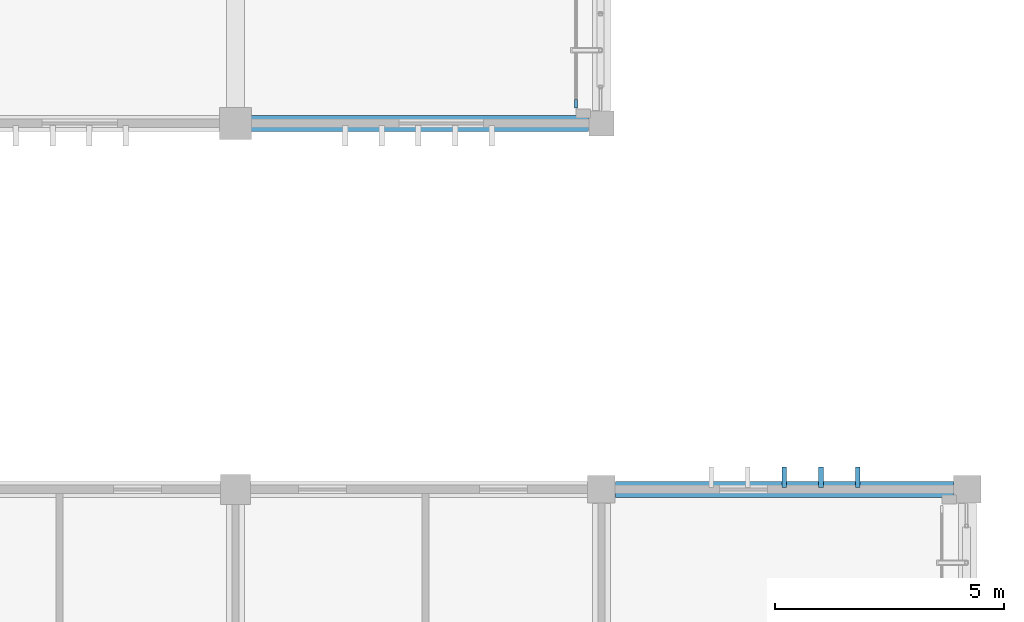
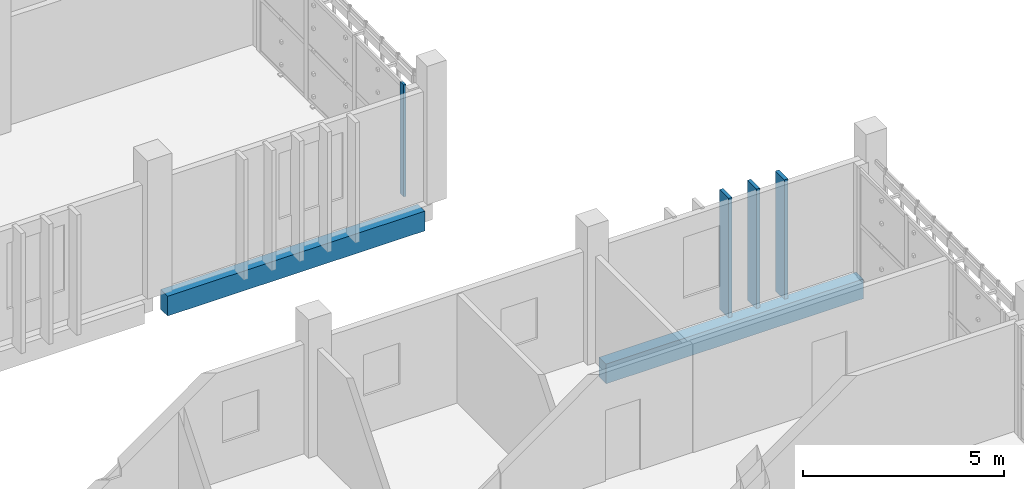
# One storey, part 52 of 83: 4 members, 2 beams, 1 element without a shape of its own.
"""IFC4 building model written with IfcOpenShell, lengths in metres."""

from ifc_helpers import new_model, si_unit, direction, frame, origin, origin_2d, place, context, subcontext, project, spatial, rectangle, extrude, material, layer, layer_set, material_profile, profile_set, type_object, element, aggregate, save


model = new_model("IFC4")

# Units and contexts
model_context = context("Model", 3, precision=1e-05, world=origin(), true_north=direction((0.0, 1.0)))
body_context = subcontext(model_context, "Body", "Model", "MODEL_VIEW")
ifc_project = project(units=[si_unit("LENGTHUNIT", "METRE"), si_unit("AREAUNIT", "SQUARE_METRE"), si_unit("VOLUMEUNIT", "CUBIC_METRE"), si_unit("PLANEANGLEUNIT", "RADIAN"), si_unit("MASSUNIT", "GRAM", prefix="KILO")], contexts=[model_context])

# Site, building, storey
site_placement = place(None, origin())
site = spatial("IfcSite", under=ifc_project, at=site_placement, CompositionType="ELEMENT")
building_placement = place(site_placement, origin())
building = spatial("IfcBuilding", under=site, at=building_placement, Name="Jelvoka-Kovrelna Polytechnic", CompositionType="ELEMENT")
storey_placement = place(building_placement, frame((0.0, 0.0, 13.800048828125)))
storey = spatial("IfcBuildingStorey", under=building, at=storey_placement, Name="L04", CompositionType="ELEMENT", Elevation=13.800048828125)

# Members
ifc_material_1 = material(Name="Precast concrete C40/50", Category="concrete")
ifc_material_profile_1 = material_profile(ifc_material_1, rectangle(XDim=0.10009765625, YDim=0.449951171875, at=origin_2d()), Name="PC 100x450")
ifc_profile_set_1 = profile_set([ifc_material_profile_1], Name="Precast concrete C40/50")
member_type_1 = type_object("IfcMemberType", Name="Louvre_Fin_100x450", PredefinedType="USERDEFINED", material=ifc_profile_set_1)
for number, where, z_axis, x_axis, name in (
    (1, (196.0, 48.264892578125, -0.27001953125), (0.0, 0.0, 1.0), (1.0, 0.0, 0.0), "L04 B2E north vertical solar louvre fin 1003"),
    (2, (196.800048828125, 48.264892578125, -0.27001953125), (0.0, 0.0, 1.0), (1.0, 0.0, 0.0), "L04 B2E north vertical solar louvre fin 1004"),
    (3, (197.60009765625, 48.264892578125, -0.27001953125), (0.0, 0.0, 1.0), (1.0, 0.0, 0.0), "L04 B2E north vertical solar louvre fin 1005"),
):
    element("IfcMember", number, at=place(storey_placement, frame(where, z_axis=z_axis, x_axis=x_axis)), inside=storey, type_object=member_type_1, Name=name, ObjectType="SUNSHADE", PredefinedType="USERDEFINED", context=body_context, shape_type="SweptSolid", body=[
        extrude(rectangle(XDim=0.10009765625, YDim=0.449951171875, at=origin_2d()), origin(), (0.0, 0.0, 1.0), 3.64501953125),
    ])

# Curtain wall, member
ifc_material_2 = material(Name="Anodised aluminium 6063-T6", Category="aluminium")
ifc_layer = layer(ifc_material_2, 0.179931640625)
ifc_layer_set = layer_set([ifc_layer], Name="Anodised aluminium 6063-T6")
curtain_wall_type = type_object("IfcCurtainWallType", Name="CW_Recessed_B", PredefinedType="NOTDEFINED", material=ifc_layer_set)
curtain_wall_placement = place(storey_placement, origin())
curtain_wall = element("IfcCurtainWall", 4, at=curtain_wall_placement, inside=storey, type_object=curtain_wall_type, Name="L04 glazed curtain wall 087", PredefinedType="NOTDEFINED")
ifc_material_3 = material(Name="Anodised aluminium 6063-T6", Category="aluminium")
ifc_material_profile_2 = material_profile(ifc_material_3, rectangle(XDim=0.06494140625, YDim=0.179931640625, at=origin_2d()), Name="ALU 65x180")
ifc_profile_set_2 = profile_set([ifc_material_profile_2], Name="Anodised aluminium 6063-T6")
member_type_2 = type_object("IfcMemberType", Name="Mullion_M-02", PredefinedType="MULLION", material=ifc_profile_set_2)
member_placement = place(storey_placement, frame((191.43994140625, 56.4326171875, -0.02490234375), z_axis=(0.0, 0.0, 1.0), x_axis=(1.0, 0.0, 0.0)))
member = element("IfcMember", 5, at=member_placement, type_object=member_type_2, Name="CW-02 mullion 4", PredefinedType="MULLION", context=body_context, shape_type="SweptSolid", body=[
    extrude(rectangle(XDim=0.06494140625, YDim=0.179931640625, at=origin_2d()), origin(), (0.0, 0.0, 1.0), 3.39990234375),
])
aggregate(curtain_wall, [member])

# Beams
ifc_material_4 = material(Name="Concrete C40/50", Category="concrete")
ifc_material_profile_3 = material_profile(ifc_material_4, rectangle(XDim=0.35009765625, YDim=0.60009765625, at=origin_2d()), Name="RC 350x600")
ifc_profile_set_3 = profile_set([ifc_material_profile_3], Name="Concrete C40/50")
beam_type = type_object("IfcBeamType", Name="Spandrel_RC_350x600", PredefinedType="SPANDREL", material=ifc_profile_set_3)
beam_1_placement = place(storey_placement, frame((192.304931640625, 48.0, -0.550048828125), z_axis=(1.0, 0.0, 0.0), x_axis=(0.0, 1.0, 0.0)))
element("IfcBeam", 6, at=beam_1_placement, inside=storey, type_object=beam_type, Name="L04 beam 1237", PredefinedType="SPANDREL", context=body_context, shape_type="SweptSolid", body=[
    extrude(rectangle(XDim=0.35009765625, YDim=0.60009765625, at=origin_2d()), origin(), (0.0, 0.0, 1.0), 7.39013671875),
])
beam_2_placement = place(storey_placement, frame((184.330078125, 56.0, -0.550048828125), z_axis=(1.0, 0.0, 0.0), x_axis=(0.0, 1.0, 0.0)))
element("IfcBeam", 7, at=beam_2_placement, inside=storey, type_object=beam_type, Name="L04 beam 1303", PredefinedType="SPANDREL", context=body_context, shape_type="SweptSolid", body=[
    extrude(rectangle(XDim=0.35009765625, YDim=0.60009765625, at=origin_2d()), origin(), (0.0, 0.0, 1.0), 7.389892578125),
])

save(model, "model.ifc")
